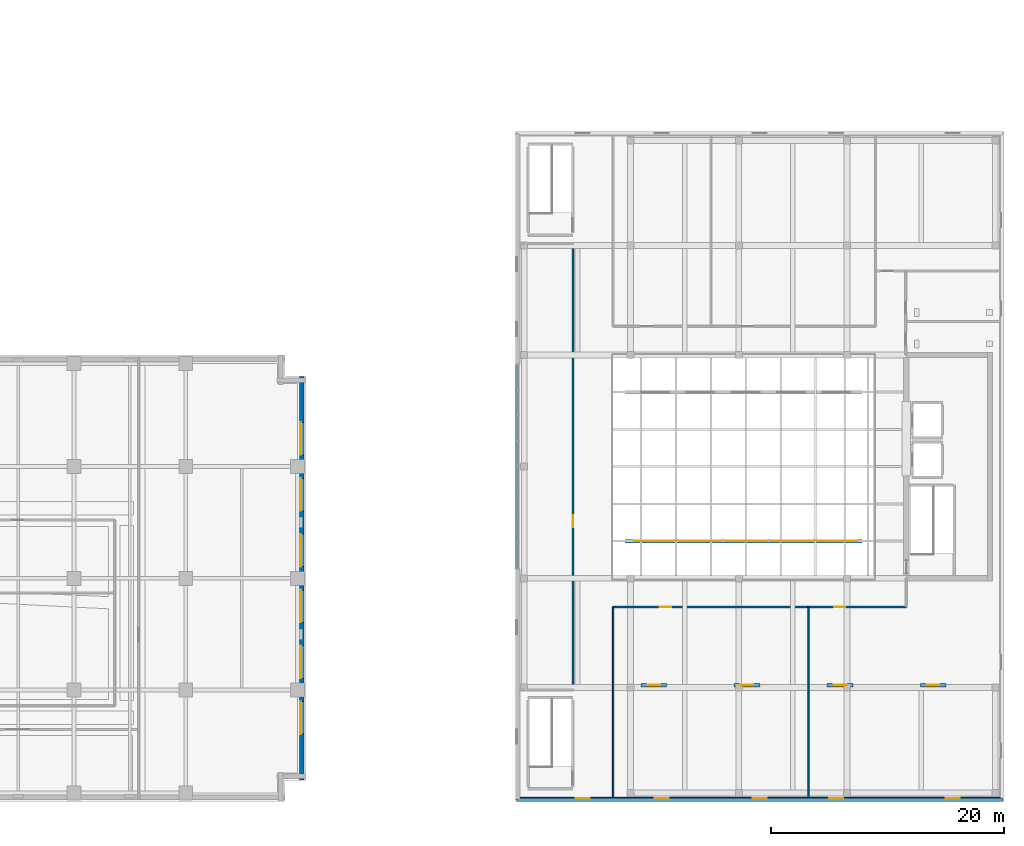
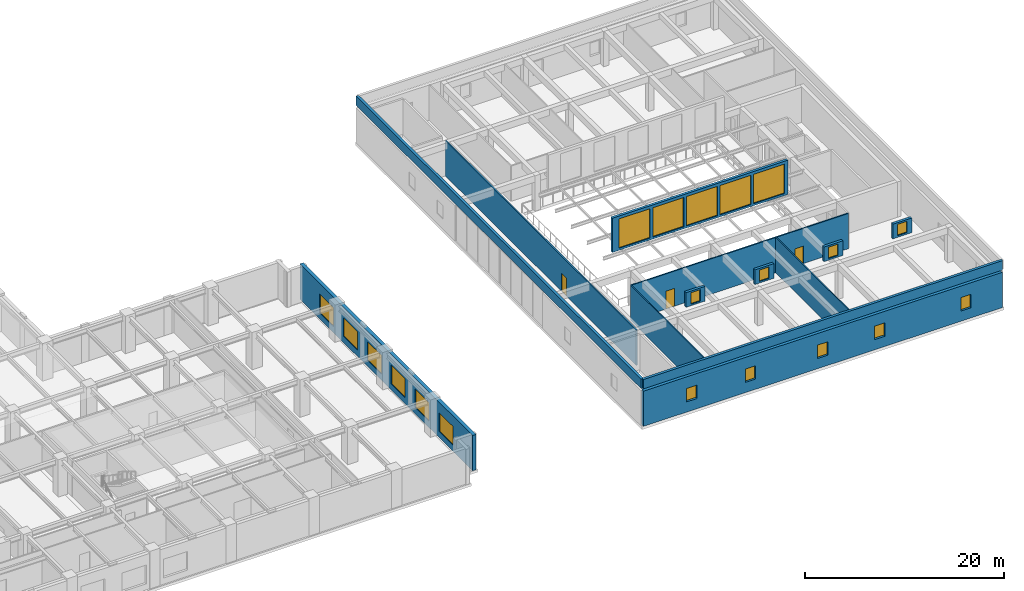
# One storey, part 9 of 21: 16 windows, 13 walls, 7 doors, 23 openings.
"""IFC4 building model written with IfcOpenShell, lengths in metres."""

import ifcopenshell
import ifcopenshell.guid

model = None  # the IFC model being written
_history = None  # IfcOwnerHistory: only IFC2X3 demands one
_inside = {}  # id of a spatial element -> (the spatial element, [elements in it])
_under = {}  # id of a project, library or spatial element -> (it, [spatial elements below it])
_declared = {}  # id of a project -> (the project, [libraries it declares])
_typed = {}  # id of a type object -> (the type object, [elements of that type])
_made_of = {}  # id of a material, layer set ... -> (it, [elements and type objects made of it])


def new_model(schema):
    """Start an empty IFC model of exactly this schema.

    Asked for "IFC4X3", IfcOpenShell would pick the latest addendum, in which some entities
    have other attributes; the version numbers below select the first issue.
    IFC2X3 requires an IfcOwnerHistory on every rooted entity: one is made here for all.
    """
    global model, _history
    if schema == "IFC4X3":
        model = ifcopenshell.file(schema_version=(4, 3, 0, 0))
    else:
        model = ifcopenshell.file(schema=schema)
    _inside.clear()
    _under.clear()
    _declared.clear()
    _typed.clear()
    _made_of.clear()
    _history = None
    if model.schema == "IFC2X3":
        org = make("IfcOrganization", Name="unknown")
        user = make(
            "IfcPersonAndOrganization",
            ThePerson=make("IfcPerson", FamilyName="unknown"),
            TheOrganization=org,
        )
        app = make(
            "IfcApplication",
            ApplicationDeveloper=org,
            Version="unknown",
            ApplicationFullName="unknown",
            ApplicationIdentifier="unknown",
        )
        _history = make(
            "IfcOwnerHistory",
            OwningUser=user,
            OwningApplication=app,
            ChangeAction="ADDED",
            CreationDate=0,
        )
    return model


def make(cls, **values):
    """One entity of the class cls with the attributes given. An attribute that is None is left unset."""
    return model.create_entity(
        cls, **{name: value for name, value in values.items() if value is not None}
    )


def rooted(cls, **values):
    """An entity with a GlobalId (a new one), such as an element, a storey or a relation."""
    return make(cls, GlobalId=ifcopenshell.guid.new(), OwnerHistory=_history, **values)


def si_unit(unit_type, name, prefix=None):
    """IfcSIUnit, for example si_unit("LENGTHUNIT", "METRE", prefix="MILLI")."""
    return make("IfcSIUnit", UnitType=unit_type, Prefix=prefix, Name=name)


def assignment(units):
    """IfcUnitAssignment: the units of a project."""
    return None if units is None else make("IfcUnitAssignment", Units=units)


def point(xyz):
    """IfcCartesianPoint."""
    return None if xyz is None else make("IfcCartesianPoint", Coordinates=xyz)


def direction(xyz):
    """IfcDirection."""
    return None if xyz is None else make("IfcDirection", DirectionRatios=xyz)


def frame(location, z_axis=None, x_axis=None):
    """IfcAxis2Placement3D, a coordinate frame: its origin and axes. An axis left out is left unset."""
    return make(
        "IfcAxis2Placement3D",
        Location=point(location),
        Axis=direction(z_axis),
        RefDirection=direction(x_axis),
    )


def frame_2d(location, x_axis=None):
    """IfcAxis2Placement2D, a coordinate frame in the plane: its origin and x axis."""
    return make(
        "IfcAxis2Placement2D", Location=point(location), RefDirection=direction(x_axis)
    )


def origin():
    """The frame at (0, 0, 0) with its axes left unset."""
    return frame((0.0, 0.0, 0.0))


def place(relative_to, where):
    """IfcLocalPlacement: puts the frame where relative to a parent placement (None: the world)."""
    return make(
        "IfcLocalPlacement", PlacementRelTo=relative_to, RelativePlacement=where
    )


def context(
    kind, dimensions, precision=None, world=None, true_north=None, identifier=None
):
    """IfcGeometricRepresentationContext, for example the 3D "Model" context."""
    return make(
        "IfcGeometricRepresentationContext",
        ContextIdentifier=identifier,
        ContextType=kind,
        CoordinateSpaceDimension=dimensions,
        Precision=precision,
        WorldCoordinateSystem=world,
        TrueNorth=true_north,
    )


def subcontext(parent, identifier, kind, view, scale=None):
    """IfcGeometricRepresentationSubContext, for example "Body" below "Model"."""
    return make(
        "IfcGeometricRepresentationSubContext",
        ContextIdentifier=identifier,
        ContextType=kind,
        ParentContext=parent,
        TargetScale=scale,
        TargetView=view,
    )


def project(units=None, contexts=None):
    """IfcProject with its units and contexts."""
    return rooted(
        "IfcProject",
        Name="project",
        RepresentationContexts=contexts,
        UnitsInContext=assignment(units),
    )


def spatial(cls, under=None, at=None, **own):
    """A site, building, storey or space (cls), placed at a placement, below another one or the project."""
    s = rooted(cls, ObjectPlacement=at, **own)
    if under is not None:
        _under.setdefault(under.id(), (under, []))[1].append(s)
    return s


def profile(cls, at=None, kind="AREA", **sizes):
    """A parametric profile (cls). Its sizes go by their IFC names, for example OverallWidth=200.0."""
    return make(cls, ProfileType=kind, Position=at, **sizes)


def rectangle(**sizes):
    """IfcRectangleProfileDef."""
    return profile("IfcRectangleProfileDef", **sizes)


def extrude(swept, where, along, depth):
    """IfcExtrudedAreaSolid: the profile swept, set in the frame where, extruded along a direction by depth."""
    return make(
        "IfcExtrudedAreaSolid",
        SweptArea=swept,
        Position=where,
        ExtrudedDirection=direction(along),
        Depth=depth,
    )


def shape(context_of_items, identifier, shape_type, items):
    """IfcShapeRepresentation: the items that make up one representation, for example the "Body"."""
    return make(
        "IfcShapeRepresentation",
        ContextOfItems=context_of_items,
        RepresentationIdentifier=identifier,
        RepresentationType=shape_type,
        Items=items,
    )


def material(Name=None, Category=None):
    """IfcMaterial."""
    return make("IfcMaterial", Name=Name, Category=Category)


def layer(
    of_material, thickness, ventilated=None, Name=None, Category=None, Priority=None
):
    """IfcMaterialLayer: one layer of a wall or slab, of a material (None: an air gap)."""
    return make(
        "IfcMaterialLayer",
        Material=of_material,
        LayerThickness=thickness,
        IsVentilated=ventilated,
        Name=Name,
        Category=Category,
        Priority=Priority,
    )


def layer_set(layers, Name=None):
    """IfcMaterialLayerSet."""
    return make("IfcMaterialLayerSet", MaterialLayers=layers, LayerSetName=Name)


def made_of(thing, what):
    """Note that an element or type object is made of a material, layer set ...; save() writes the relation."""
    if what is not None:
        _made_of.setdefault(what.id(), (what, []))[1].append(thing)
    return thing


def type_object(cls, material=None, **own):
    """A type object (cls), such as IfcWallType, which elements share."""
    return made_of(rooted(cls, **own), material)


def element(
    cls,
    number,
    at=None,
    inside=None,
    cuts=None,
    type_object=None,
    material=None,
    context=None,
    identifier="Body",
    shape_type=None,
    held_by="IfcProductDefinitionShape",
    body=None,
    shapes=None,
    **own,
):
    """One element of the class cls, such as IfcWall. Its Tag is "e" and its number.

    at: its placement. inside: the storey or other place that contains it. cuts: it is an
    opening in that element (IfcRelVoidsElement). A single representation is given by context,
    identifier, shape_type and body (its items); several are given by shapes. held_by: the class
    of the entity that holds the representations. save() writes the other relations.
    """
    e = rooted(cls, Tag="e%d" % number, ObjectPlacement=at, **own)
    if body is not None:
        shapes = [shape(context, identifier, shape_type, body)]
    if shapes is not None:
        e.Representation = make(held_by, Representations=shapes)
    if inside is not None:
        _inside.setdefault(inside.id(), (inside, []))[1].append(e)
    if cuts is not None:
        rooted(
            "IfcRelVoidsElement", RelatingBuildingElement=cuts, RelatedOpeningElement=e
        )
    if type_object is not None:
        _typed.setdefault(type_object.id(), (type_object, []))[1].append(e)
    return made_of(e, material)


def fill(opening, filler):
    """IfcRelFillsElement: the door or window that sits in an opening."""
    return rooted(
        "IfcRelFillsElement",
        RelatingOpeningElement=opening,
        RelatedBuildingElement=filler,
    )


def aggregate(whole, parts):
    """IfcRelAggregates: a whole, such as a stair, and the parts it consists of."""
    return rooted("IfcRelAggregates", RelatingObject=whole, RelatedObjects=parts)


def save(model, path):
    """Write the relations noted so far, then the file.

    IfcRelAggregates (storeys below a building ...), IfcRelContainedInSpatialStructure (elements
    in a storey), IfcRelDefinesByType, IfcRelAssociatesMaterial and IfcRelDeclares: one each for
    every whole, place, type object, material and project.
    """
    for whole, parts in _under.values():
        aggregate(whole, parts)
    for where, things in _inside.values():
        rooted(
            "IfcRelContainedInSpatialStructure",
            RelatedElements=things,
            RelatingStructure=where,
        )
    for kind, things in _typed.values():
        rooted("IfcRelDefinesByType", RelatedObjects=things, RelatingType=kind)
    for what, things in _made_of.values():
        rooted("IfcRelAssociatesMaterial", RelatedObjects=things, RelatingMaterial=what)
    for by, libraries in _declared.values():
        rooted("IfcRelDeclares", RelatingContext=by, RelatedDefinitions=libraries)
    model.write(path)


model = new_model("IFC4")

# Units and contexts
model_context = context("Model", 3, precision=1e-05, world=origin(), true_north=direction((0.0, 1.0)))
body_context = subcontext(model_context, "Body", "Model", "MODEL_VIEW")
ifc_project = project(units=[si_unit("LENGTHUNIT", "METRE"), si_unit("AREAUNIT", "SQUARE_METRE"), si_unit("VOLUMEUNIT", "CUBIC_METRE"), si_unit("PLANEANGLEUNIT", "RADIAN"), si_unit("MASSUNIT", "GRAM", prefix="KILO")], contexts=[model_context])

# Site, building, storey
site_placement = place(None, origin())
site = spatial("IfcSite", under=ifc_project, at=site_placement, CompositionType="ELEMENT")
building_placement = place(site_placement, origin())
building = spatial("IfcBuilding", under=site, at=building_placement, Name="Norrvale University Quadrangle", CompositionType="ELEMENT")
storey_placement = place(building_placement, frame((0.0, 0.0, 19.60009765625)))
storey = spatial("IfcBuildingStorey", under=building, at=storey_placement, Name="L04", CompositionType="ELEMENT", Elevation=19.60009765625)

# Walls
ifc_material_1 = material(Name="Standard Academic Gypsum Partition")
ifc_layer_1 = layer(ifc_material_1, 0.125, Name="Standard Academic Gypsum Partition")
ifc_layer_set_1 = layer_set([ifc_layer_1], Name="Standard Academic Gypsum Partition")
wall_type_1 = type_object("IfcWallType", Name="Wall Gypsum Academic 125", PredefinedType="PARTITIONING", material=ifc_layer_set_1)
for number, where, z_axis, x_axis, name in (
    (1, (93.60009765625, 0.35009765625, 0.0), (0.0, 0.0, 1.0), (0.0, 1.0, 0.0), "Interior Partition WL-L04-LSS-W"),
    (2, (110.39990234375, 0.35009765625, 0.0), (0.0, 0.0, 1.0), (0.0, 1.0, 0.0), "Interior Partition WL-L04-LSS-M"),
):
    element("IfcWall", number, at=place(storey_placement, frame(where, z_axis=z_axis, x_axis=x_axis)), inside=storey, type_object=wall_type_1, Name=name, PredefinedType="PARTITIONING", context=body_context, shape_type="SweptSolid", body=[
        extrude(rectangle(XDim=16.389892578125, YDim=0.125, at=frame_2d((8.19482421875, 0.0))), origin(), (0.0, 0.0, 1.0), 4.31982421875),
    ])

# Wall, opening, door
ifc_material_2 = material(Name="Fire-Rated Gypsum Stud Partition")
ifc_layer_2 = layer(ifc_material_2, 0.14990234375, Name="Fire-Rated Gypsum Stud Partition")
ifc_layer_set_2 = layer_set([ifc_layer_2], Name="Fire-Rated Gypsum Stud Partition")
wall_type_2 = type_object("IfcWallType", Name="Wall Gypsum Corridor 150", PredefinedType="PARTITIONING", material=ifc_layer_set_2)
wall_1_placement = place(storey_placement, frame((90.14990234375, 9.60009765625, 0.0), z_axis=(0.0, 0.0, 1.0), x_axis=(0.0, 1.0, 0.0)))
wall_1 = element("IfcWall", 3, at=wall_1_placement, inside=storey, type_object=wall_type_2, Name="Interior Partition WL-L04-LWE", PredefinedType="PARTITIONING", context=body_context, shape_type="SweptSolid", body=[
    extrude(rectangle(XDim=38.39990234375, YDim=0.14990234375, at=frame_2d((19.199951171875, 0.0))), origin(), (0.0, 0.0, 1.0), 4.31982421875),
])
opening_1_placement = place(wall_1_placement, frame((14.0, 0.0, 0.0)))
opening_1 = element("IfcOpeningElement", 4, at=opening_1_placement, cuts=wall_1, Name="Opening D04", PredefinedType="OPENING", context=body_context, shape_type="SweptSolid", body=[
    extrude(rectangle(XDim=1.0, YDim=2.199951171875, at=frame_2d((0.5, 1.10009765625))), frame((0.0, 0.0869140625, 0.0), z_axis=(0.0, -1.0, 0.0), x_axis=(1.0, 0.0, 0.0)), (0.0, 0.0, 1.0), 0.173828125),
])
ifc_material_3 = material(Name="Solid-Core Oak Fire Door", Category="wood")
door_type_1 = type_object("IfcDoorType", Name="Door Corridor 1000x2200", OperationType="NOTDEFINED", PredefinedType="DOOR", material=ifc_material_3)
door_1_placement = place(opening_1_placement, origin())
door_1 = element("IfcDoor", 5, at=door_1_placement, inside=storey, type_object=door_type_1, Name="Door Corridor 1000x2200 DR-L04-LWCAR", OperationType="SINGLE_SWING_LEFT", OverallHeight=2.199951171875, OverallWidth=1.0, PredefinedType="DOOR", context=body_context, shape_type="SweptSolid", body=[
    extrude(rectangle(XDim=1.0, YDim=2.199951171875, at=frame_2d((0.5, 1.10009765625))), frame((0.0, 0.02490234375, 0.0), z_axis=(0.0, -1.0, 0.0), x_axis=(1.0, 0.0, 0.0)), (0.0, 0.0, 1.0), 0.050048828125),
])
fill(opening_1, door_1)

# Wall, openings, doors
wall_2_placement = place(storey_placement, frame((93.60009765625, 16.739990234375, 0.0), z_axis=(0.0, 0.0, 1.0), x_axis=(1.0, 0.0, 0.0)))
wall_2 = element("IfcWall", 6, at=wall_2_placement, inside=storey, type_object=wall_type_2, Name="Interior Partition WL-L04-LSS-N", PredefinedType="PARTITIONING", context=body_context, shape_type="SweptSolid", body=[
    extrude(rectangle(XDim=25.199951171875, YDim=0.14990234375, at=frame_2d((12.60009765625, 0.0))), origin(), (0.0, 0.0, 1.0), 4.31982421875),
])
opening_2_placement = place(wall_2_placement, frame((4.0, 0.0, 0.0)))
opening_2 = element("IfcOpeningElement", 7, at=opening_2_placement, cuts=wall_2, Name="Opening D04", PredefinedType="OPENING", context=body_context, shape_type="SweptSolid", body=[
    extrude(rectangle(XDim=1.0, YDim=2.199951171875, at=frame_2d((0.5, 1.10009765625))), frame((0.0, 0.0869140625, 0.0), z_axis=(0.0, -1.0, 0.0), x_axis=(1.0, 0.0, 0.0)), (0.0, 0.0, 1.0), 0.173828125),
])
opening_3_placement = place(wall_2_placement, frame((19.0, 0.0, 0.0)))
opening_3 = element("IfcOpeningElement", 8, at=opening_3_placement, cuts=wall_2, Name="Opening D07", PredefinedType="OPENING", context=body_context, shape_type="SweptSolid", body=[
    extrude(rectangle(XDim=0.949951171875, YDim=2.14990234375, at=frame_2d((0.47509765625, 1.074951171875))), frame((0.0, 0.0869140625, 0.0), z_axis=(0.0, -1.0, 0.0), x_axis=(1.0, 0.0, 0.0)), (0.0, 0.0, 1.0), 0.173828125),
])
door_2_placement = place(opening_2_placement, origin())
door_2 = element("IfcDoor", 9, at=door_2_placement, inside=storey, type_object=door_type_1, Name="Door Corridor 1000x2200 DR-L04-LS1", OperationType="SINGLE_SWING_LEFT", OverallHeight=2.199951171875, OverallWidth=1.0, PredefinedType="DOOR", context=body_context, shape_type="SweptSolid", body=[
    extrude(rectangle(XDim=1.0, YDim=2.199951171875, at=frame_2d((0.5, 1.10009765625))), frame((0.0, 0.02490234375, 0.0), z_axis=(0.0, -1.0, 0.0), x_axis=(1.0, 0.0, 0.0)), (0.0, 0.0, 1.0), 0.050048828125),
])
fill(opening_2, door_2)
ifc_material_4 = material(Name="Solid-Core Maple Door", Category="wood")
door_type_2 = type_object("IfcDoorType", Name="Door Office 950x2150", OperationType="NOTDEFINED", PredefinedType="DOOR", material=ifc_material_4)
door_3_placement = place(opening_3_placement, origin())
door_3 = element("IfcDoor", 10, at=door_3_placement, inside=storey, type_object=door_type_2, Name="Door Office 950x2150 DR-L04-LS2", OperationType="SINGLE_SWING_RIGHT", OverallHeight=2.14990234375, OverallWidth=0.949951171875, PredefinedType="DOOR", context=body_context, shape_type="SweptSolid", body=[
    extrude(rectangle(XDim=0.949951171875, YDim=2.14990234375, at=frame_2d((0.47509765625, 1.074951171875))), frame((0.0, 0.02490234375, 0.0), z_axis=(0.0, -1.0, 0.0), x_axis=(1.0, 0.0, 0.0)), (0.0, 0.0, 1.0), 0.050048828125),
])
fill(opening_3, door_3)

# Wall, openings, windows
ifc_material_5 = material(Name="Buff Norman Clay Brick Masonry", Category="masonry")
ifc_layer_3 = layer(ifc_material_5, 0.3798828125, Name="Buff Norman Clay Brick Masonry")
ifc_layer_set_3 = layer_set([ifc_layer_3], Name="Buff Norman Clay Brick Masonry")
wall_type_3 = type_object("IfcWallType", Name="Wall Lib Brick 380", PredefinedType="SOLIDWALL", material=ifc_layer_set_3)
wall_3_placement = place(storey_placement, frame((85.389892578125, 0.18994140625, 0.0), z_axis=(0.0, 0.0, 1.0), x_axis=(1.0, 0.0, 0.0)))
wall_3 = element("IfcWall", 11, at=wall_3_placement, inside=storey, type_object=wall_type_3, Name="Central Library South Brick Facade L04", PredefinedType="SOLIDWALL", context=body_context, shape_type="SweptSolid", body=[
    extrude(rectangle(XDim=41.6201171875, YDim=0.3798828125, at=frame_2d((20.81005859375, 0.0))), origin(), (0.0, 0.0, 1.0), 4.31982421875),
])
opening_4_placement = place(wall_3_placement, frame((5.0, 0.0, 1.25)))
opening_4 = element("IfcOpeningElement", 12, at=opening_4_placement, cuts=wall_3, Name="Opening W07", PredefinedType="OPENING", context=body_context, shape_type="SweptSolid", body=[
    extrude(rectangle(XDim=1.199951171875, YDim=1.64990234375, at=frame_2d((0.60009765625, 0.824951171875))), frame((0.0, 0.201904296875, 0.0), z_axis=(0.0, -1.0, 0.0), x_axis=(1.0, 0.0, 0.0)), (0.0, 0.0, 1.0), 0.40380859375),
])
opening_5_placement = place(wall_3_placement, frame((11.800048828125, 0.0, 1.25)))
opening_5 = element("IfcOpeningElement", 13, at=opening_5_placement, cuts=wall_3, Name="Opening W07", PredefinedType="OPENING", context=body_context, shape_type="SweptSolid", body=[
    extrude(rectangle(XDim=1.199951171875, YDim=1.64990234375, at=frame_2d((0.60009765625, 0.824951171875))), frame((0.0, 0.201904296875, 0.0), z_axis=(0.0, -1.0, 0.0), x_axis=(1.0, 0.0, 0.0)), (0.0, 0.0, 1.0), 0.40380859375),
])
opening_6_placement = place(wall_3_placement, frame((20.199951171875, 0.0, 1.25)))
opening_6 = element("IfcOpeningElement", 14, at=opening_6_placement, cuts=wall_3, Name="Opening W07", PredefinedType="OPENING", context=body_context, shape_type="SweptSolid", body=[
    extrude(rectangle(XDim=1.199951171875, YDim=1.64990234375, at=frame_2d((0.60009765625, 0.824951171875))), frame((0.0, 0.201904296875, 0.0), z_axis=(0.0, -1.0, 0.0), x_axis=(1.0, 0.0, 0.0)), (0.0, 0.0, 1.0), 0.40380859375),
])
opening_7_placement = place(wall_3_placement, frame((26.800048828125, 0.0, 1.25)))
opening_7 = element("IfcOpeningElement", 15, at=opening_7_placement, cuts=wall_3, Name="Opening W07", PredefinedType="OPENING", context=body_context, shape_type="SweptSolid", body=[
    extrude(rectangle(XDim=1.199951171875, YDim=1.64990234375, at=frame_2d((0.60009765625, 0.824951171875))), frame((0.0, 0.201904296875, 0.0), z_axis=(0.0, -1.0, 0.0), x_axis=(1.0, 0.0, 0.0)), (0.0, 0.0, 1.0), 0.40380859375),
])
opening_8_placement = place(wall_3_placement, frame((36.800048828125, 0.0, 1.25)))
opening_8 = element("IfcOpeningElement", 16, at=opening_8_placement, cuts=wall_3, Name="Opening W07", PredefinedType="OPENING", context=body_context, shape_type="SweptSolid", body=[
    extrude(rectangle(XDim=1.199951171875, YDim=1.64990234375, at=frame_2d((0.60009765625, 0.824951171875))), frame((0.0, 0.201904296875, 0.0), z_axis=(0.0, -1.0, 0.0), x_axis=(1.0, 0.0, 0.0)), (0.0, 0.0, 1.0), 0.40380859375),
])
ifc_material_6 = material(Name="UV-Filtered Triple Glazing", Category="glass")
window_type_1 = type_object("IfcWindowType", Name="Window Library Stack 1200x1800", PartitioningType="SINGLE_PANEL", PredefinedType="WINDOW", material=ifc_material_6)
window_1_placement = place(opening_4_placement, origin())
window_1 = element("IfcWindow", 17, at=window_1_placement, inside=storey, type_object=window_type_1, Name="Window Library Stack 1200x1800 WIN-L04-LS-01", OverallHeight=1.64990234375, OverallWidth=1.199951171875, PartitioningType="SINGLE_PANEL", PredefinedType="WINDOW", context=body_context, shape_type="SweptSolid", body=[
    extrude(rectangle(XDim=1.199951171875, YDim=1.64990234375, at=frame_2d((0.60009765625, 0.824951171875))), frame((0.0, 0.110107421875, 0.0), z_axis=(0.0, -1.0, 0.0), x_axis=(1.0, 0.0, 0.0)), (0.0, 0.0, 1.0), 0.06005859375),
])
fill(opening_4, window_1)
window_2_placement = place(opening_5_placement, origin())
window_2 = element("IfcWindow", 18, at=window_2_placement, inside=storey, type_object=window_type_1, Name="Window Library Stack 1200x1800 WIN-L04-LS-02", OverallHeight=1.64990234375, OverallWidth=1.199951171875, PartitioningType="SINGLE_PANEL", PredefinedType="WINDOW", context=body_context, shape_type="SweptSolid", body=[
    extrude(rectangle(XDim=1.199951171875, YDim=1.64990234375, at=frame_2d((0.60009765625, 0.824951171875))), frame((0.0, 0.110107421875, 0.0), z_axis=(0.0, -1.0, 0.0), x_axis=(1.0, 0.0, 0.0)), (0.0, 0.0, 1.0), 0.06005859375),
])
fill(opening_5, window_2)
window_3_placement = place(opening_6_placement, origin())
window_3 = element("IfcWindow", 19, at=window_3_placement, inside=storey, type_object=window_type_1, Name="Window Library Stack 1200x1800 WIN-L04-LS-03", OverallHeight=1.64990234375, OverallWidth=1.199951171875, PartitioningType="SINGLE_PANEL", PredefinedType="WINDOW", context=body_context, shape_type="SweptSolid", body=[
    extrude(rectangle(XDim=1.199951171875, YDim=1.64990234375, at=frame_2d((0.60009765625, 0.824951171875))), frame((0.0, 0.110107421875, 0.0), z_axis=(0.0, -1.0, 0.0), x_axis=(1.0, 0.0, 0.0)), (0.0, 0.0, 1.0), 0.06005859375),
])
fill(opening_6, window_3)
window_4_placement = place(opening_7_placement, origin())
window_4 = element("IfcWindow", 20, at=window_4_placement, inside=storey, type_object=window_type_1, Name="Window Library Stack 1200x1800 WIN-L04-LS-04", OverallHeight=1.64990234375, OverallWidth=1.199951171875, PartitioningType="SINGLE_PANEL", PredefinedType="WINDOW", context=body_context, shape_type="SweptSolid", body=[
    extrude(rectangle(XDim=1.199951171875, YDim=1.64990234375, at=frame_2d((0.60009765625, 0.824951171875))), frame((0.0, 0.110107421875, 0.0), z_axis=(0.0, -1.0, 0.0), x_axis=(1.0, 0.0, 0.0)), (0.0, 0.0, 1.0), 0.06005859375),
])
fill(opening_7, window_4)
window_5_placement = place(opening_8_placement, origin())
window_5 = element("IfcWindow", 21, at=window_5_placement, inside=storey, type_object=window_type_1, Name="Window Library Stack 1200x1800 WIN-L04-LS-05", OverallHeight=1.64990234375, OverallWidth=1.199951171875, PartitioningType="SINGLE_PANEL", PredefinedType="WINDOW", context=body_context, shape_type="SweptSolid", body=[
    extrude(rectangle(XDim=1.199951171875, YDim=1.64990234375, at=frame_2d((0.60009765625, 0.824951171875))), frame((0.0, 0.110107421875, 0.0), z_axis=(0.0, -1.0, 0.0), x_axis=(1.0, 0.0, 0.0)), (0.0, 0.0, 1.0), 0.06005859375),
])
fill(opening_8, window_5)

# Walls
ifc_layer_4 = layer(ifc_material_5, 0.300048828125, Name="Buff Norman Clay Brick Masonry")
ifc_layer_set_4 = layer_set([ifc_layer_4], Name="Buff Norman Clay Brick Masonry")
wall_type_4 = type_object("IfcWallType", Name="Wall Parapet 300", PredefinedType="PARAPET", material=ifc_layer_set_4)
wall_4_placement = place(storey_placement, frame((85.35009765625, 0.14990234375, 4.599853515625), z_axis=(0.0, 0.0, 1.0), x_axis=(1.0, 0.0, 0.0)))
element("IfcWall", 22, at=wall_4_placement, inside=storey, type_object=wall_type_4, Name="Library Roof Parapet S", PredefinedType="PARAPET", context=body_context, shape_type="SweptSolid", body=[
    extrude(rectangle(XDim=41.699951171875, YDim=0.300048828125, at=frame_2d((20.85009765625, 0.0))), origin(), (0.0, 0.0, 1.0), 1.150146484375),
])
wall_5_placement = place(storey_placement, frame((85.35009765625, 57.449951171875, 4.599853515625), z_axis=(0.0, 0.0, 1.0), x_axis=(0.0, -1.0, 0.0)))
element("IfcWall", 23, at=wall_5_placement, inside=storey, type_object=wall_type_4, Name="Library Roof Parapet W", PredefinedType="PARAPET", context=body_context, shape_type="SweptSolid", body=[
    extrude(rectangle(XDim=57.300048828125, YDim=0.300048828125, at=frame_2d((28.64990234375, 0.0))), origin(), (0.0, 0.0, 1.0), 1.150146484375),
])

# Wall, openings, windows
wall_6_placement = place(storey_placement, frame((94.60009765625, 22.39990234375, 4.599853515625), z_axis=(0.0, 0.0, 1.0), x_axis=(1.0, 0.0, 0.0)))
wall_6 = element("IfcWall", 24, at=wall_6_placement, inside=storey, type_object=wall_type_4, Name="Library Atrium Skylight Curb South", PredefinedType="PARAPET", context=body_context, shape_type="SweptSolid", body=[
    extrude(rectangle(XDim=20.39990234375, YDim=0.300048828125, at=frame_2d((10.199951171875, 0.0))), origin(), (0.0, 0.0, 1.0), 4.199951171875),
])
opening_9_placement = place(wall_6_placement, frame((0.800048828125, 0.0, 0.25)))
opening_9 = element("IfcOpeningElement", 25, at=opening_9_placement, cuts=wall_6, Name="Opening SK1", PredefinedType="OPENING", context=body_context, shape_type="SweptSolid", body=[
    extrude(rectangle(XDim=3.60009765625, YDim=3.60009765625, at=frame_2d((1.800048828125, 1.800048828125))), frame((0.0, 0.162109375, 0.0), z_axis=(0.0, -1.0, 0.0), x_axis=(1.0, 0.0, 0.0)), (0.0, 0.0, 1.0), 0.323974609375),
])
opening_10_placement = place(wall_6_placement, frame((4.699951171875, 0.0, 0.25)))
opening_10 = element("IfcOpeningElement", 26, at=opening_10_placement, cuts=wall_6, Name="Opening SK1", PredefinedType="OPENING", context=body_context, shape_type="SweptSolid", body=[
    extrude(rectangle(XDim=3.60009765625, YDim=3.60009765625, at=frame_2d((1.800048828125, 1.800048828125))), frame((0.0, 0.162109375, 0.0), z_axis=(0.0, -1.0, 0.0), x_axis=(1.0, 0.0, 0.0)), (0.0, 0.0, 1.0), 0.323974609375),
])
opening_11_placement = place(wall_6_placement, frame((8.60009765625, 0.0, 0.25)))
opening_11 = element("IfcOpeningElement", 27, at=opening_11_placement, cuts=wall_6, Name="Opening SK1", PredefinedType="OPENING", context=body_context, shape_type="SweptSolid", body=[
    extrude(rectangle(XDim=3.60009765625, YDim=3.60009765625, at=frame_2d((1.800048828125, 1.800048828125))), frame((0.0, 0.162109375, 0.0), z_axis=(0.0, -1.0, 0.0), x_axis=(1.0, 0.0, 0.0)), (0.0, 0.0, 1.0), 0.323974609375),
])
opening_12_placement = place(wall_6_placement, frame((12.5, 0.0, 0.25)))
opening_12 = element("IfcOpeningElement", 28, at=opening_12_placement, cuts=wall_6, Name="Opening SK1", PredefinedType="OPENING", context=body_context, shape_type="SweptSolid", body=[
    extrude(rectangle(XDim=3.60009765625, YDim=3.60009765625, at=frame_2d((1.800048828125, 1.800048828125))), frame((0.0, 0.162109375, 0.0), z_axis=(0.0, -1.0, 0.0), x_axis=(1.0, 0.0, 0.0)), (0.0, 0.0, 1.0), 0.323974609375),
])
opening_13_placement = place(wall_6_placement, frame((16.39990234375, 0.0, 0.25)))
opening_13 = element("IfcOpeningElement", 29, at=opening_13_placement, cuts=wall_6, Name="Opening SK1", PredefinedType="OPENING", context=body_context, shape_type="SweptSolid", body=[
    extrude(rectangle(XDim=3.60009765625, YDim=3.60009765625, at=frame_2d((1.800048828125, 1.800048828125))), frame((0.0, 0.162109375, 0.0), z_axis=(0.0, -1.0, 0.0), x_axis=(1.0, 0.0, 0.0)), (0.0, 0.0, 1.0), 0.323974609375),
])
ifc_material_7 = material(Name="Laminated Structural Skylight Glazing", Category="glass")
window_type_2 = type_object("IfcWindowType", Name="Window Skylight 3600x3600", PartitioningType="SINGLE_PANEL", PredefinedType="SKYLIGHT", material=ifc_material_7)
window_6_placement = place(opening_9_placement, origin())
window_6 = element("IfcWindow", 30, at=window_6_placement, inside=storey, type_object=window_type_2, Name="Window Skylight 3600x3600 SKL-L04-S1", OverallHeight=3.60009765625, OverallWidth=3.60009765625, PartitioningType="SINGLE_PANEL", PredefinedType="SKYLIGHT", context=body_context, shape_type="SweptSolid", body=[
    extrude(rectangle(XDim=3.60009765625, YDim=3.60009765625, at=frame_2d((1.800048828125, 1.800048828125))), frame((0.0, 0.030029296875, 0.0), z_axis=(0.0, -1.0, 0.0), x_axis=(1.0, 0.0, 0.0)), (0.0, 0.0, 1.0), 0.06005859375),
])
fill(opening_9, window_6)
window_7_placement = place(opening_10_placement, origin())
window_7 = element("IfcWindow", 31, at=window_7_placement, inside=storey, type_object=window_type_2, Name="Window Skylight 3600x3600 SKL-L04-S2", OverallHeight=3.60009765625, OverallWidth=3.60009765625, PartitioningType="SINGLE_PANEL", PredefinedType="SKYLIGHT", context=body_context, shape_type="SweptSolid", body=[
    extrude(rectangle(XDim=3.60009765625, YDim=3.60009765625, at=frame_2d((1.800048828125, 1.800048828125))), frame((0.0, 0.030029296875, 0.0), z_axis=(0.0, -1.0, 0.0), x_axis=(1.0, 0.0, 0.0)), (0.0, 0.0, 1.0), 0.06005859375),
])
fill(opening_10, window_7)
window_8_placement = place(opening_11_placement, origin())
window_8 = element("IfcWindow", 32, at=window_8_placement, inside=storey, type_object=window_type_2, Name="Window Skylight 3600x3600 SKL-L04-S3", OverallHeight=3.60009765625, OverallWidth=3.60009765625, PartitioningType="SINGLE_PANEL", PredefinedType="SKYLIGHT", context=body_context, shape_type="SweptSolid", body=[
    extrude(rectangle(XDim=3.60009765625, YDim=3.60009765625, at=frame_2d((1.800048828125, 1.800048828125))), frame((0.0, 0.030029296875, 0.0), z_axis=(0.0, -1.0, 0.0), x_axis=(1.0, 0.0, 0.0)), (0.0, 0.0, 1.0), 0.06005859375),
])
fill(opening_11, window_8)
window_9_placement = place(opening_12_placement, origin())
window_9 = element("IfcWindow", 33, at=window_9_placement, inside=storey, type_object=window_type_2, Name="Window Skylight 3600x3600 SKL-L04-S4", OverallHeight=3.60009765625, OverallWidth=3.60009765625, PartitioningType="SINGLE_PANEL", PredefinedType="SKYLIGHT", context=body_context, shape_type="SweptSolid", body=[
    extrude(rectangle(XDim=3.60009765625, YDim=3.60009765625, at=frame_2d((1.800048828125, 1.800048828125))), frame((0.0, 0.030029296875, 0.0), z_axis=(0.0, -1.0, 0.0), x_axis=(1.0, 0.0, 0.0)), (0.0, 0.0, 1.0), 0.06005859375),
])
fill(opening_12, window_9)
window_10_placement = place(opening_13_placement, origin())
window_10 = element("IfcWindow", 34, at=window_10_placement, inside=storey, type_object=window_type_2, Name="Window Skylight 3600x3600 SKL-L04-S5", OverallHeight=3.60009765625, OverallWidth=3.60009765625, PartitioningType="SINGLE_PANEL", PredefinedType="SKYLIGHT", context=body_context, shape_type="SweptSolid", body=[
    extrude(rectangle(XDim=3.60009765625, YDim=3.60009765625, at=frame_2d((1.800048828125, 1.800048828125))), frame((0.0, 0.030029296875, 0.0), z_axis=(0.0, -1.0, 0.0), x_axis=(1.0, 0.0, 0.0)), (0.0, 0.0, 1.0), 0.06005859375),
])
fill(opening_13, window_10)

# Wall, opening, door
wall_7_placement = place(storey_placement, frame((96.0, 10.0, 4.89990234375), z_axis=(0.0, 0.0, 1.0), x_axis=(1.0, 0.0, 0.0)))
wall_7 = element("IfcWall", 35, at=wall_7_placement, inside=storey, type_object=wall_type_4, Name="Library Roof Smoke Hatch Curb 1", PredefinedType="PARAPET", context=body_context, shape_type="SweptSolid", body=[
    extrude(rectangle(XDim=2.199951171875, YDim=0.300048828125, at=frame_2d((1.10009765625, 0.0))), origin(), (0.0, 0.0, 1.0), 1.800048828125),
])
opening_14_placement = place(wall_7_placement, frame((0.550048828125, 0.0, 0.199951171875)))
opening_14 = element("IfcOpeningElement", 36, at=opening_14_placement, cuts=wall_7, Name="Opening DH1", PredefinedType="OPENING", context=body_context, shape_type="SweptSolid", body=[
    extrude(rectangle(XDim=1.10009765625, YDim=1.39990234375, at=frame_2d((0.550048828125, 0.699951171875))), frame((0.0, 0.162109375, 0.0), z_axis=(0.0, -1.0, 0.0), x_axis=(1.0, 0.0, 0.0)), (0.0, 0.0, 1.0), 0.323974609375),
])
ifc_material_8 = material(Name="Anodized Aluminium 6063-T6 Roof Hatch", Category="aluminium")
door_type_3 = type_object("IfcDoorType", Name="Door Roof Hatch 1100x1400", OperationType="NOTDEFINED", PredefinedType="TRAPDOOR", material=ifc_material_8)
door_4_placement = place(opening_14_placement, origin())
door_4 = element("IfcDoor", 37, at=door_4_placement, inside=storey, type_object=door_type_3, Name="Door Roof Hatch 1100x1400 DR-L04-HATCH-1", OperationType="SINGLE_SWING_LEFT", OverallHeight=1.39990234375, OverallWidth=1.10009765625, PredefinedType="TRAPDOOR", context=body_context, shape_type="SweptSolid", body=[
    extrude(rectangle(XDim=1.10009765625, YDim=1.39990234375, at=frame_2d((0.550048828125, 0.699951171875))), frame((0.0, 0.02490234375, 0.0), z_axis=(0.0, -1.0, 0.0), x_axis=(1.0, 0.0, 0.0)), (0.0, 0.0, 1.0), 0.050048828125),
])
fill(opening_14, door_4)

wall_8_placement = place(storey_placement, frame((104.0, 10.0, 4.89990234375), z_axis=(0.0, 0.0, 1.0), x_axis=(1.0, 0.0, 0.0)))
wall_8 = element("IfcWall", 38, at=wall_8_placement, inside=storey, type_object=wall_type_4, Name="Library Roof Smoke Hatch Curb 2", PredefinedType="PARAPET", context=body_context, shape_type="SweptSolid", body=[
    extrude(rectangle(XDim=2.199951171875, YDim=0.300048828125, at=frame_2d((1.10009765625, 0.0))), origin(), (0.0, 0.0, 1.0), 1.800048828125),
])
opening_15_placement = place(wall_8_placement, frame((0.550048828125, 0.0, 0.199951171875)))
opening_15 = element("IfcOpeningElement", 39, at=opening_15_placement, cuts=wall_8, Name="Opening DH1", PredefinedType="OPENING", context=body_context, shape_type="SweptSolid", body=[
    extrude(rectangle(XDim=1.10009765625, YDim=1.39990234375, at=frame_2d((0.550048828125, 0.699951171875))), frame((0.0, 0.162109375, 0.0), z_axis=(0.0, -1.0, 0.0), x_axis=(1.0, 0.0, 0.0)), (0.0, 0.0, 1.0), 0.323974609375),
])
door_5_placement = place(opening_15_placement, origin())
door_5 = element("IfcDoor", 40, at=door_5_placement, inside=storey, type_object=door_type_3, Name="Door Roof Hatch 1100x1400 DR-L04-HATCH-2", OperationType="SINGLE_SWING_LEFT", OverallHeight=1.39990234375, OverallWidth=1.10009765625, PredefinedType="TRAPDOOR", context=body_context, shape_type="SweptSolid", body=[
    extrude(rectangle(XDim=1.10009765625, YDim=1.39990234375, at=frame_2d((0.550048828125, 0.699951171875))), frame((0.0, 0.02490234375, 0.0), z_axis=(0.0, -1.0, 0.0), x_axis=(1.0, 0.0, 0.0)), (0.0, 0.0, 1.0), 0.050048828125),
])
fill(opening_15, door_5)

wall_9_placement = place(storey_placement, frame((112.0, 10.0, 4.89990234375), z_axis=(0.0, 0.0, 1.0), x_axis=(1.0, 0.0, 0.0)))
wall_9 = element("IfcWall", 41, at=wall_9_placement, inside=storey, type_object=wall_type_4, Name="Library Roof Smoke Hatch Curb 3", PredefinedType="PARAPET", context=body_context, shape_type="SweptSolid", body=[
    extrude(rectangle(XDim=2.199951171875, YDim=0.300048828125, at=frame_2d((1.10009765625, 0.0))), origin(), (0.0, 0.0, 1.0), 1.800048828125),
])
opening_16_placement = place(wall_9_placement, frame((0.550048828125, 0.0, 0.199951171875)))
opening_16 = element("IfcOpeningElement", 42, at=opening_16_placement, cuts=wall_9, Name="Opening DH1", PredefinedType="OPENING", context=body_context, shape_type="SweptSolid", body=[
    extrude(rectangle(XDim=1.10009765625, YDim=1.39990234375, at=frame_2d((0.550048828125, 0.699951171875))), frame((0.0, 0.162109375, 0.0), z_axis=(0.0, -1.0, 0.0), x_axis=(1.0, 0.0, 0.0)), (0.0, 0.0, 1.0), 0.323974609375),
])
door_6_placement = place(opening_16_placement, origin())
door_6 = element("IfcDoor", 43, at=door_6_placement, inside=storey, type_object=door_type_3, Name="Door Roof Hatch 1100x1400 DR-L04-HATCH-3", OperationType="SINGLE_SWING_LEFT", OverallHeight=1.39990234375, OverallWidth=1.10009765625, PredefinedType="TRAPDOOR", context=body_context, shape_type="SweptSolid", body=[
    extrude(rectangle(XDim=1.10009765625, YDim=1.39990234375, at=frame_2d((0.550048828125, 0.699951171875))), frame((0.0, 0.02490234375, 0.0), z_axis=(0.0, -1.0, 0.0), x_axis=(1.0, 0.0, 0.0)), (0.0, 0.0, 1.0), 0.050048828125),
])
fill(opening_16, door_6)

wall_10_placement = place(storey_placement, frame((120.0, 10.0, 4.89990234375), z_axis=(0.0, 0.0, 1.0), x_axis=(1.0, 0.0, 0.0)))
wall_10 = element("IfcWall", 44, at=wall_10_placement, inside=storey, type_object=wall_type_4, Name="Library Roof Smoke Hatch Curb 4", PredefinedType="PARAPET", context=body_context, shape_type="SweptSolid", body=[
    extrude(rectangle(XDim=2.199951171875, YDim=0.300048828125, at=frame_2d((1.10009765625, 0.0))), origin(), (0.0, 0.0, 1.0), 1.800048828125),
])
opening_17_placement = place(wall_10_placement, frame((0.550048828125, 0.0, 0.199951171875)))
opening_17 = element("IfcOpeningElement", 45, at=opening_17_placement, cuts=wall_10, Name="Opening DH1", PredefinedType="OPENING", context=body_context, shape_type="SweptSolid", body=[
    extrude(rectangle(XDim=1.10009765625, YDim=1.39990234375, at=frame_2d((0.550048828125, 0.699951171875))), frame((0.0, 0.162109375, 0.0), z_axis=(0.0, -1.0, 0.0), x_axis=(1.0, 0.0, 0.0)), (0.0, 0.0, 1.0), 0.323974609375),
])
door_7_placement = place(opening_17_placement, origin())
door_7 = element("IfcDoor", 46, at=door_7_placement, inside=storey, type_object=door_type_3, Name="Door Roof Hatch 1100x1400 DR-L04-HATCH-4", OperationType="SINGLE_SWING_LEFT", OverallHeight=1.39990234375, OverallWidth=1.10009765625, PredefinedType="TRAPDOOR", context=body_context, shape_type="SweptSolid", body=[
    extrude(rectangle(XDim=1.10009765625, YDim=1.39990234375, at=frame_2d((0.550048828125, 0.699951171875))), frame((0.0, 0.02490234375, 0.0), z_axis=(0.0, -1.0, 0.0), x_axis=(1.0, 0.0, 0.0)), (0.0, 0.0, 1.0), 0.050048828125),
])
fill(opening_17, door_7)

# Wall, openings, windows
ifc_material_9 = material(Name="Red Manganese Brick Masonry", Category="masonry")
ifc_layer_5 = layer(ifc_material_9, 0.39990234375, Name="Red Manganese Brick Masonry")
ifc_layer_set_5 = layer_set([ifc_layer_5], Name="Red Manganese Brick Masonry")
wall_type_5 = type_object("IfcWallType", Name="Wall Red Brick 400", PredefinedType="SOLIDWALL", material=ifc_layer_set_5)
wall_11_placement = place(storey_placement, frame((66.820068359375, 1.840087890625, 0.0), z_axis=(0.0, 0.0, 1.0), x_axis=(0.0, 1.0, 0.0)))
wall_11 = element("IfcWall", 47, at=wall_11_placement, inside=storey, type_object=wall_type_5, Name="Exterior Brick Facade Wall L04-04.1", PredefinedType="SOLIDWALL", context=body_context, shape_type="SweptSolid", body=[
    extrude(rectangle(XDim=34.719970703125, YDim=0.39990234375, at=frame_2d((17.35986328125, 0.0))), origin(), (0.0, 0.0, 1.0), 4.33984375),
])
opening_18_placement = place(wall_11_placement, frame((3.9599609375, 0.0, 0.75)))
opening_18 = element("IfcOpeningElement", 48, at=opening_18_placement, cuts=wall_11, Name="Opening W05", PredefinedType="OPENING", context=body_context, shape_type="SweptSolid", body=[
    extrude(rectangle(XDim=2.800048828125, YDim=2.300048828125, at=frame_2d((1.39990234375, 1.14990234375))), frame((0.0, 0.2119140625, 0.0), z_axis=(0.0, -1.0, 0.0), x_axis=(1.0, 0.0, 0.0)), (0.0, 0.0, 1.0), 0.423828125),
])
opening_19_placement = place(wall_11_placement, frame((8.760009765625, 0.0, 0.75)))
opening_19 = element("IfcOpeningElement", 49, at=opening_19_placement, cuts=wall_11, Name="Opening W05", PredefinedType="OPENING", context=body_context, shape_type="SweptSolid", body=[
    extrude(rectangle(XDim=2.800048828125, YDim=2.300048828125, at=frame_2d((1.39990234375, 1.14990234375))), frame((0.0, 0.2119140625, 0.0), z_axis=(0.0, -1.0, 0.0), x_axis=(1.0, 0.0, 0.0)), (0.0, 0.0, 1.0), 0.423828125),
])
opening_20_placement = place(wall_11_placement, frame((13.56005859375, 0.0, 0.75)))
opening_20 = element("IfcOpeningElement", 50, at=opening_20_placement, cuts=wall_11, Name="Opening W05", PredefinedType="OPENING", context=body_context, shape_type="SweptSolid", body=[
    extrude(rectangle(XDim=2.800048828125, YDim=2.300048828125, at=frame_2d((1.39990234375, 1.14990234375))), frame((0.0, 0.2119140625, 0.0), z_axis=(0.0, -1.0, 0.0), x_axis=(1.0, 0.0, 0.0)), (0.0, 0.0, 1.0), 0.423828125),
])
opening_21_placement = place(wall_11_placement, frame((18.360107421875, 0.0, 0.75)))
opening_21 = element("IfcOpeningElement", 51, at=opening_21_placement, cuts=wall_11, Name="Opening W05", PredefinedType="OPENING", context=body_context, shape_type="SweptSolid", body=[
    extrude(rectangle(XDim=2.800048828125, YDim=2.300048828125, at=frame_2d((1.39990234375, 1.14990234375))), frame((0.0, 0.2119140625, 0.0), z_axis=(0.0, -1.0, 0.0), x_axis=(1.0, 0.0, 0.0)), (0.0, 0.0, 1.0), 0.423828125),
])
opening_22_placement = place(wall_11_placement, frame((23.159912109375, 0.0, 0.75)))
opening_22 = element("IfcOpeningElement", 52, at=opening_22_placement, cuts=wall_11, Name="Opening W05", PredefinedType="OPENING", context=body_context, shape_type="SweptSolid", body=[
    extrude(rectangle(XDim=2.800048828125, YDim=2.300048828125, at=frame_2d((1.39990234375, 1.14990234375))), frame((0.0, 0.2119140625, 0.0), z_axis=(0.0, -1.0, 0.0), x_axis=(1.0, 0.0, 0.0)), (0.0, 0.0, 1.0), 0.423828125),
])
opening_23_placement = place(wall_11_placement, frame((27.9599609375, 0.0, 0.75)))
opening_23 = element("IfcOpeningElement", 53, at=opening_23_placement, cuts=wall_11, Name="Opening W05", PredefinedType="OPENING", context=body_context, shape_type="SweptSolid", body=[
    extrude(rectangle(XDim=2.800048828125, YDim=2.300048828125, at=frame_2d((1.39990234375, 1.14990234375))), frame((0.0, 0.2119140625, 0.0), z_axis=(0.0, -1.0, 0.0), x_axis=(1.0, 0.0, 0.0)), (0.0, 0.0, 1.0), 0.423828125),
])
ifc_material_10 = material(Name="Bird-Friendly Fritted Triple Glazing", Category="glass")
window_type_3 = type_object("IfcWindowType", Name="Window Podium 2800x2800", PartitioningType="TRIPLE_PANEL_VERTICAL", PredefinedType="WINDOW", material=ifc_material_10)
window_11_placement = place(opening_18_placement, origin())
window_11 = element("IfcWindow", 54, at=window_11_placement, inside=storey, type_object=window_type_3, Name="Window Podium 2800x2800 WIN-L04-E04-1-01", OverallHeight=2.300048828125, OverallWidth=2.800048828125, PartitioningType="TRIPLE_PANEL_VERTICAL", PredefinedType="WINDOW", context=body_context, shape_type="SweptSolid", body=[
    extrude(rectangle(XDim=2.800048828125, YDim=2.300048828125, at=frame_2d((1.39990234375, 1.14990234375))), frame((0.0, 0.110107421875, 0.0), z_axis=(0.0, -1.0, 0.0), x_axis=(1.0, 0.0, 0.0)), (0.0, 0.0, 1.0), 0.06005859375),
])
fill(opening_18, window_11)
window_12_placement = place(opening_19_placement, origin())
window_12 = element("IfcWindow", 55, at=window_12_placement, inside=storey, type_object=window_type_3, Name="Window Podium 2800x2800 WIN-L04-E04-1-02", OverallHeight=2.300048828125, OverallWidth=2.800048828125, PartitioningType="TRIPLE_PANEL_VERTICAL", PredefinedType="WINDOW", context=body_context, shape_type="SweptSolid", body=[
    extrude(rectangle(XDim=2.800048828125, YDim=2.300048828125, at=frame_2d((1.39990234375, 1.14990234375))), frame((0.0, 0.110107421875, 0.0), z_axis=(0.0, -1.0, 0.0), x_axis=(1.0, 0.0, 0.0)), (0.0, 0.0, 1.0), 0.06005859375),
])
fill(opening_19, window_12)
window_13_placement = place(opening_20_placement, origin())
window_13 = element("IfcWindow", 56, at=window_13_placement, inside=storey, type_object=window_type_3, Name="Window Podium 2800x2800 WIN-L04-E04-1-03", OverallHeight=2.300048828125, OverallWidth=2.800048828125, PartitioningType="TRIPLE_PANEL_VERTICAL", PredefinedType="WINDOW", context=body_context, shape_type="SweptSolid", body=[
    extrude(rectangle(XDim=2.800048828125, YDim=2.300048828125, at=frame_2d((1.39990234375, 1.14990234375))), frame((0.0, 0.110107421875, 0.0), z_axis=(0.0, -1.0, 0.0), x_axis=(1.0, 0.0, 0.0)), (0.0, 0.0, 1.0), 0.06005859375),
])
fill(opening_20, window_13)
window_14_placement = place(opening_21_placement, origin())
window_14 = element("IfcWindow", 57, at=window_14_placement, inside=storey, type_object=window_type_3, Name="Window Podium 2800x2800 WIN-L04-E04-1-04", OverallHeight=2.300048828125, OverallWidth=2.800048828125, PartitioningType="TRIPLE_PANEL_VERTICAL", PredefinedType="WINDOW", context=body_context, shape_type="SweptSolid", body=[
    extrude(rectangle(XDim=2.800048828125, YDim=2.300048828125, at=frame_2d((1.39990234375, 1.14990234375))), frame((0.0, 0.110107421875, 0.0), z_axis=(0.0, -1.0, 0.0), x_axis=(1.0, 0.0, 0.0)), (0.0, 0.0, 1.0), 0.06005859375),
])
fill(opening_21, window_14)
window_15_placement = place(opening_22_placement, origin())
window_15 = element("IfcWindow", 58, at=window_15_placement, inside=storey, type_object=window_type_3, Name="Window Podium 2800x2800 WIN-L04-E04-1-05", OverallHeight=2.300048828125, OverallWidth=2.800048828125, PartitioningType="TRIPLE_PANEL_VERTICAL", PredefinedType="WINDOW", context=body_context, shape_type="SweptSolid", body=[
    extrude(rectangle(XDim=2.800048828125, YDim=2.300048828125, at=frame_2d((1.39990234375, 1.14990234375))), frame((0.0, 0.110107421875, 0.0), z_axis=(0.0, -1.0, 0.0), x_axis=(1.0, 0.0, 0.0)), (0.0, 0.0, 1.0), 0.06005859375),
])
fill(opening_22, window_15)
window_16_placement = place(opening_23_placement, origin())
window_16 = element("IfcWindow", 59, at=window_16_placement, inside=storey, type_object=window_type_3, Name="Window Podium 2800x2800 WIN-L04-E04-1-06", OverallHeight=2.300048828125, OverallWidth=2.800048828125, PartitioningType="TRIPLE_PANEL_VERTICAL", PredefinedType="WINDOW", context=body_context, shape_type="SweptSolid", body=[
    extrude(rectangle(XDim=2.800048828125, YDim=2.300048828125, at=frame_2d((1.39990234375, 1.14990234375))), frame((0.0, 0.110107421875, 0.0), z_axis=(0.0, -1.0, 0.0), x_axis=(1.0, 0.0, 0.0)), (0.0, 0.0, 1.0), 0.06005859375),
])
fill(opening_23, window_16)

save(model, "model.ifc")
